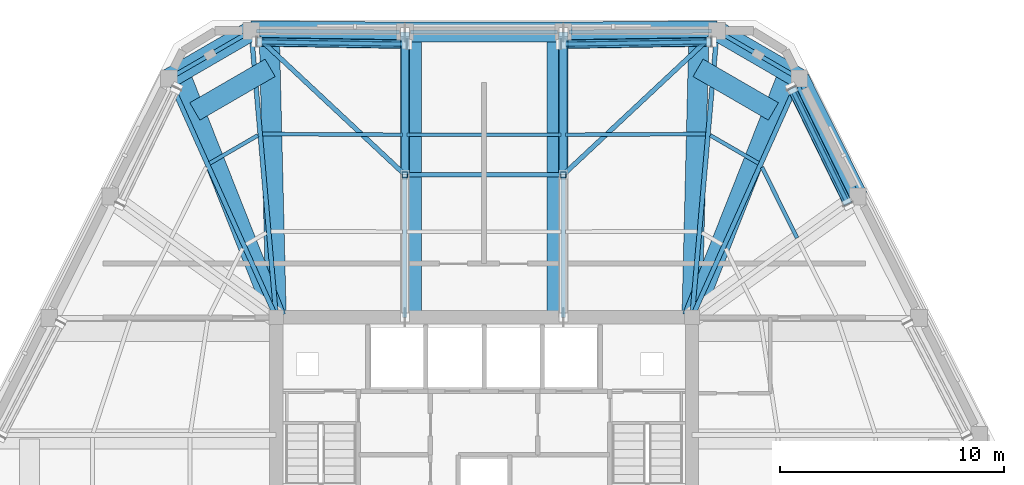
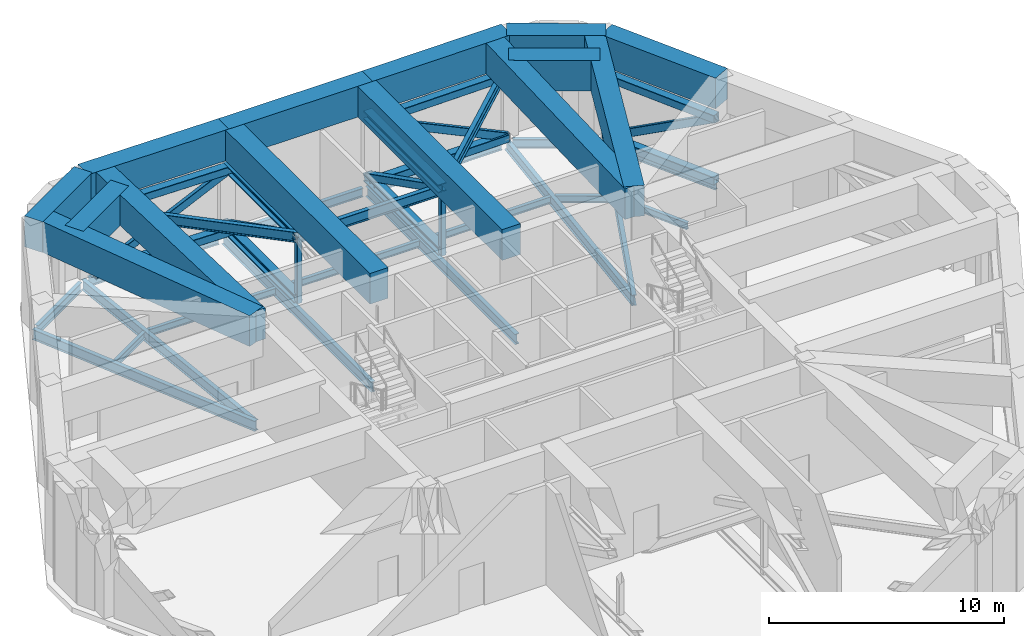
# One storey, part 5 of 15: 35 beams, 17 members.
"""IFC4 building model written with IfcOpenShell, lengths in metres."""

from ifc_helpers import new_model, si_unit, direction, frame, origin, origin_2d, place, context, subcontext, project, spatial, rectangle, hollow_rectangle, i_section, extrude, material, material_profile, profile_set, type_object, element, save


model = new_model("IFC4")

# Units and contexts
model_context = context("Model", 3, precision=1e-05, world=origin(), true_north=direction((0.0, 1.0)))
body_context = subcontext(model_context, "Body", "Model", "MODEL_VIEW")
ifc_project = project(units=[si_unit("LENGTHUNIT", "METRE"), si_unit("AREAUNIT", "SQUARE_METRE"), si_unit("VOLUMEUNIT", "CUBIC_METRE"), si_unit("PLANEANGLEUNIT", "RADIAN"), si_unit("MASSUNIT", "GRAM", prefix="KILO")], contexts=[model_context])

# Site, building, storey
site_placement = place(None, origin())
site = spatial("IfcSite", under=ifc_project, at=site_placement, CompositionType="ELEMENT")
building_placement = place(site_placement, origin())
building = spatial("IfcBuilding", under=site, at=building_placement, Name="Cinnabar Lancet Tower", CompositionType="ELEMENT")
storey_placement = place(building_placement, frame((0.0, 0.0, 221.60009765625)))
storey = spatial("IfcBuildingStorey", under=building, at=storey_placement, Name="L59", CompositionType="ELEMENT", Elevation=221.60009765625)

# Beams
ifc_material_1 = material(Name="Concrete C70/85", Category="concrete")
ifc_material_profile_1 = material_profile(ifc_material_1, rectangle(XDim=0.89990234375, YDim=1.60009765625, at=origin_2d()), Name="RC-BG 900x1600")
ifc_profile_set_1 = profile_set([ifc_material_profile_1], Name="Concrete C70/85")
beam_type_1 = type_object("IfcBeamType", Name="STR-BM-BG-1600", PredefinedType="BEAM", material=ifc_profile_set_1)
beam_1_placement = place(storey_placement, frame((49.118896484375, 38.59912109375, 4.599853515625), z_axis=(-0.444811402135, 0.895624260798, 0.0), x_axis=(-0.895624260798, -0.444811402135, 0.0)))
element("IfcBeam", 1, at=beam_1_placement, inside=storey, type_object=beam_type_1, Name="L60 Setback Outer Ring Girder 11", PredefinedType="BEAM", context=body_context, shape_type="SweptSolid", body=[
    extrude(rectangle(XDim=0.89990234375, YDim=1.60009765625, at=origin_2d()), origin(), (0.0, 0.0, 1.0), 5.898681640625),
])
beam_2_placement = place(storey_placement, frame((46.4951171875, 43.882080078125, 4.599853515625), z_axis=(-0.865241216859, 0.501355798459, 0.0), x_axis=(-0.501355798459, -0.865241216859, 0.0)))
element("IfcBeam", 2, at=beam_2_placement, inside=storey, type_object=beam_type_1, Name="L60 Setback Outer Ring Girder 12", PredefinedType="BEAM", context=body_context, shape_type="SweptSolid", body=[
    extrude(rectangle(XDim=0.89990234375, YDim=1.60009765625, at=origin_2d()), origin(), (0.0, 0.0, 1.0), 4.246337890625),
])
beam_3_placement = place(storey_placement, frame((42.821044921875, 46.010986328125, 4.599853515625), z_axis=(-0.999970335653, -0.00770245502, 0.0), x_axis=(0.00770245502, -0.999970335653, 0.0)))
element("IfcBeam", 3, at=beam_3_placement, inside=storey, type_object=beam_type_1, Name="L60 Setback Outer Ring Girder 13", PredefinedType="BEAM", context=body_context, shape_type="SweptSolid", body=[
    extrude(rectangle(XDim=0.89990234375, YDim=1.60009765625, at=origin_2d()), origin(), (0.0, 0.0, 1.0), 6.878173828125),
])
beam_4_placement = place(storey_placement, frame((35.943115234375, 45.9580078125, 4.599853515625), z_axis=(-1.0, 0.0, 0.0), x_axis=(0.0, -1.0, 0.0)))
element("IfcBeam", 4, at=beam_4_placement, inside=storey, type_object=beam_type_1, Name="L60 Setback Outer Ring Girder 14", PredefinedType="BEAM", context=body_context, shape_type="SweptSolid", body=[
    extrude(rectangle(XDim=0.89990234375, YDim=1.60009765625, at=origin_2d()), origin(), (0.0, 0.0, 1.0), 7.086181640625),
])
beam_5_placement = place(storey_placement, frame((28.85693359375, 45.9580078125, 4.599853515625), z_axis=(-0.999970335653, 0.00770245502, 0.0), x_axis=(-0.00770245502, -0.999970335653, 0.0)))
element("IfcBeam", 5, at=beam_5_placement, inside=storey, type_object=beam_type_1, Name="L60 Setback Outer Ring Girder 15", PredefinedType="BEAM", context=body_context, shape_type="SweptSolid", body=[
    extrude(rectangle(XDim=0.89990234375, YDim=1.60009765625, at=origin_2d()), origin(), (0.0, 0.0, 1.0), 6.878173828125),
])
beam_6_placement = place(storey_placement, frame((21.97900390625, 46.010986328125, 4.599853515625), z_axis=(-0.865241216859, -0.501355798459, 0.0), x_axis=(0.501355798459, -0.865241216859, 0.0)))
element("IfcBeam", 6, at=beam_6_placement, inside=storey, type_object=beam_type_1, Name="L60 Setback Outer Ring Girder 16", PredefinedType="BEAM", context=body_context, shape_type="SweptSolid", body=[
    extrude(rectangle(XDim=0.89990234375, YDim=1.60009765625, at=origin_2d()), origin(), (0.0, 0.0, 1.0), 4.246337890625),
])
beam_7_placement = place(storey_placement, frame((45.9619140625, 43.97900390625, 4.599853515625), z_axis=(-0.367694473329, -0.929946651311, 0.0), x_axis=(0.929946651311, -0.367694473329, 0.0)))
element("IfcBeam", 7, at=beam_7_placement, inside=storey, type_object=beam_type_1, Name="L60 Setback Continuous Radial Transfer Girder 12", PredefinedType="BEAM", context=body_context, shape_type="SweptSolid", body=[
    extrude(rectangle(XDim=0.89990234375, YDim=1.60009765625, at=origin_2d()), origin(), (0.0, 0.0, 1.0), 11.591064453125),
])
beam_8_placement = place(storey_placement, frame((42.011962890625, 46.00390625, 4.599853515625), z_axis=(-0.024361153953, -0.999703223051, 0.0), x_axis=(0.999703223051, -0.024361153953, 0.0)))
element("IfcBeam", 8, at=beam_8_placement, inside=storey, type_object=beam_type_1, Name="L60 Setback Continuous Radial Transfer Girder 13", PredefinedType="BEAM", context=body_context, shape_type="SweptSolid", body=[
    extrude(rectangle(XDim=0.89990234375, YDim=1.60009765625, at=origin_2d()), origin(), (0.0, 0.0, 1.0), 12.807861328125),
])
for number, where, z_axis, x_axis, name in (
    (9, (35.654052734375, 45.9580078125, 4.599853515625), (0.0, -1.0, 0.0), (1.0, 0.0, 0.0), "L60 Setback Continuous Radial Transfer Girder 14"),
    (10, (29.14599609375, 45.9580078125, 4.599853515625), (0.0, -1.0, 0.0), (1.0, 0.0, 0.0), "L60 Setback Continuous Radial Transfer Girder 15"),
):
    element("IfcBeam", number, at=place(storey_placement, frame(where, z_axis=z_axis, x_axis=x_axis)), inside=storey, type_object=beam_type_1, Name=name, PredefinedType="BEAM", context=body_context, shape_type="SweptSolid", body=[
        extrude(rectangle(XDim=0.89990234375, YDim=1.60009765625, at=origin_2d()), origin(), (0.0, 0.0, 1.0), 12.758056640625),
    ])
beam_9_placement = place(storey_placement, frame((22.7880859375, 46.00390625, 4.599853515625), z_axis=(0.024361153953, -0.999703223051, 0.0), x_axis=(0.999703223051, 0.024361153953, 0.0)))
element("IfcBeam", 11, at=beam_9_placement, inside=storey, type_object=beam_type_1, Name="L60 Setback Continuous Radial Transfer Girder 16", PredefinedType="BEAM", context=body_context, shape_type="SweptSolid", body=[
    extrude(rectangle(XDim=0.89990234375, YDim=1.60009765625, at=origin_2d()), origin(), (0.0, 0.0, 1.0), 12.807861328125),
])
beam_10_placement = place(storey_placement, frame((18.837890625, 43.97900390625, 4.599853515625), z_axis=(0.367712688301, -0.92993944903, 0.0), x_axis=(0.92993944903, 0.367712688301, 0.0)))
element("IfcBeam", 12, at=beam_10_placement, inside=storey, type_object=beam_type_1, Name="L60 Setback Continuous Radial Transfer Girder 17", PredefinedType="BEAM", context=body_context, shape_type="SweptSolid", body=[
    extrude(rectangle(XDim=0.89990234375, YDim=1.60009765625, at=origin_2d()), origin(), (0.0, 0.0, 1.0), 11.591064453125),
])
beam_11_placement = place(storey_placement, frame((45.341064453125, 42.408935546875, 4.599853515625), z_axis=(-0.865248800318, 0.501342710677, 0.0), x_axis=(-0.501342710677, -0.865248800318, 0.0)))
element("IfcBeam", 13, at=beam_11_placement, inside=storey, type_object=beam_type_1, Name="L60 Setback Pilaster Transfer Chord 4", PredefinedType="BEAM", context=body_context, shape_type="SweptSolid", body=[
    extrude(rectangle(XDim=0.89990234375, YDim=1.60009765625, at=origin_2d()), origin(), (0.0, 0.0, 1.0), 3.893798828125),
])
beam_12_placement = place(storey_placement, frame((22.827880859375, 44.361083984375, 4.599853515625), z_axis=(-0.865233039938, -0.501369909946, 0.0), x_axis=(0.501369909946, -0.865233039938, 0.0)))
element("IfcBeam", 14, at=beam_12_placement, inside=storey, type_object=beam_type_1, Name="L60 Setback Pilaster Transfer Chord 5", PredefinedType="BEAM", context=body_context, shape_type="SweptSolid", body=[
    extrude(rectangle(XDim=0.89990234375, YDim=1.60009765625, at=origin_2d()), origin(), (0.0, 0.0, 1.0), 3.8935546875),
])
ifc_material_2 = material(Name="Structural steel S355", Category="steel")
ifc_material_profile_2 = material_profile(ifc_material_2, i_section(OverallWidth=0.17138671875, OverallDepth=0.35498046875, WebThickness=0.00732421875, FlangeThickness=0.011474609375, FilletRadius=0.01025390625, at=origin_2d()), Name="UKB 356x171x51")
ifc_profile_set_2 = profile_set([ifc_material_profile_2], Name="Structural steel S355")
beam_type_2 = type_object("IfcBeamType", Name="STR-BM-JST-356", PredefinedType="JOIST", material=ifc_profile_set_2)
beam_13_placement = place(storey_placement, frame((46.40087890625, 36.75, -0.4580078125), z_axis=(-0.444780091128, 0.895639810714, 0.0), x_axis=(-0.895639810714, -0.444780091128, 0.0)))
element("IfcBeam", 15, at=beam_13_placement, inside=storey, type_object=beam_type_2, Name="L59 Secondary Floor Joist 29", PredefinedType="JOIST", context=body_context, shape_type="SweptSolid", body=[
    extrude(i_section(OverallWidth=0.17138671875, OverallDepth=0.35498046875, WebThickness=0.00732421875, FlangeThickness=0.011474609375, FilletRadius=0.01025390625, at=origin_2d()), origin(), (0.0, 0.0, 1.0), 3.533935546875),
])
beam_14_placement = place(storey_placement, frame((44.677978515625, 40.089111328125, -0.4580078125), z_axis=(-0.865267839663, 0.501309849937, 0.0), x_axis=(-0.501309849937, -0.865267839663, 0.0)))
element("IfcBeam", 16, at=beam_14_placement, inside=storey, type_object=beam_type_2, Name="L59 Secondary Floor Joist 31", PredefinedType="JOIST", context=body_context, shape_type="SweptSolid", body=[
    extrude(i_section(OverallWidth=0.17138671875, OverallDepth=0.35498046875, WebThickness=0.00732421875, FlangeThickness=0.011474609375, FilletRadius=0.01025390625, at=origin_2d()), origin(), (0.0, 0.0, 1.0), 2.497314453125),
])
beam_15_placement = place(storey_placement, frame((42.31201171875, 41.39794921875, -0.4580078125), z_axis=(-0.999986965561, -0.005105752523, 0.0), x_axis=(0.005105752523, -0.999986965561, 0.0)))
element("IfcBeam", 17, at=beam_15_placement, inside=storey, type_object=beam_type_2, Name="L59 Secondary Floor Joist 33", PredefinedType="JOIST", context=body_context, shape_type="SweptSolid", body=[
    extrude(i_section(OverallWidth=0.17138671875, OverallDepth=0.35498046875, WebThickness=0.00732421875, FlangeThickness=0.011474609375, FilletRadius=0.01025390625, at=origin_2d()), origin(), (0.0, 0.0, 1.0), 6.263916015625),
])
beam_16_placement = place(storey_placement, frame((35.837890625, 41.364990234375, -0.4580078125), z_axis=(-1.0, 0.0, 0.0), x_axis=(0.0, -1.0, 0.0)))
element("IfcBeam", 18, at=beam_16_placement, inside=storey, type_object=beam_type_2, Name="L59 Secondary Floor Joist 35", PredefinedType="JOIST", context=body_context, shape_type="SweptSolid", body=[
    extrude(i_section(OverallWidth=0.17138671875, OverallDepth=0.35498046875, WebThickness=0.00732421875, FlangeThickness=0.011474609375, FilletRadius=0.01025390625, at=origin_2d()), origin(), (0.0, 0.0, 1.0), 6.8759765625),
])
beam_17_placement = place(storey_placement, frame((28.751953125, 41.365966796875, -0.4580078125), z_axis=(-0.999986965561, 0.005105752523, 0.0), x_axis=(-0.005105752523, -0.999986965561, 0.0)))
element("IfcBeam", 19, at=beam_17_placement, inside=storey, type_object=beam_type_2, Name="L59 Secondary Floor Joist 37", PredefinedType="JOIST", context=body_context, shape_type="SweptSolid", body=[
    extrude(i_section(OverallWidth=0.17138671875, OverallDepth=0.35498046875, WebThickness=0.00732421875, FlangeThickness=0.011474609375, FilletRadius=0.01025390625, at=origin_2d()), origin(), (0.0, 0.0, 1.0), 6.263916015625),
])
beam_18_placement = place(storey_placement, frame((22.282958984375, 41.341064453125, -0.4580078125), z_axis=(-0.865267839663, -0.501309849937, 0.0), x_axis=(0.501309849937, -0.865267839663, 0.0)))
element("IfcBeam", 20, at=beam_18_placement, inside=storey, type_object=beam_type_2, Name="L59 Secondary Floor Joist 39", PredefinedType="JOIST", context=body_context, shape_type="SweptSolid", body=[
    extrude(i_section(OverallWidth=0.17138671875, OverallDepth=0.35498046875, WebThickness=0.00732421875, FlangeThickness=0.011474609375, FilletRadius=0.01025390625, at=origin_2d()), origin(), (0.0, 0.0, 1.0), 2.497314453125),
])
ifc_material_3 = material(Name="Structural steel S355", Category="steel")
ifc_material_profile_3 = material_profile(ifc_material_3, i_section(OverallWidth=0.1904296875, OverallDepth=0.45703125, WebThickness=0.009033203125, FlangeThickness=0.014404296875, FilletRadius=0.01025390625, at=origin_2d()), Name="UKB 457x191x74")
ifc_profile_set_3 = profile_set([ifc_material_profile_3], Name="Structural steel S355")
beam_type_3 = type_object("IfcBeamType", Name="STR-BM-SPN-457", PredefinedType="SPANDREL", material=ifc_profile_set_3)
beam_19_placement = place(storey_placement, frame((49.008056640625, 38.822998046875, -0.509033203125), z_axis=(-0.444932986899, 0.895563865489, 0.0), x_axis=(-0.895563865489, -0.444932986899, 0.0)))
element("IfcBeam", 21, at=beam_19_placement, inside=storey, type_object=beam_type_3, Name="L59 Perimeter Spandrel 11", PredefinedType="SPANDREL", context=body_context, shape_type="SweptSolid", body=[
    extrude(i_section(OverallWidth=0.1904296875, OverallDepth=0.45703125, WebThickness=0.009033203125, FlangeThickness=0.014404296875, FilletRadius=0.01025390625, at=origin_2d()), origin(), (0.0, 0.0, 1.0), 5.398681640625),
])
beam_20_placement = place(storey_placement, frame((46.279052734375, 44.007080078125, -0.509033203125), z_axis=(-0.865195717586, 0.501434313016, 0.0), x_axis=(-0.501434313016, -0.865195717586, 0.0)))
element("IfcBeam", 22, at=beam_20_placement, inside=storey, type_object=beam_type_3, Name="L59 Perimeter Spandrel 12", PredefinedType="SPANDREL", context=body_context, shape_type="SweptSolid", body=[
    extrude(i_section(OverallWidth=0.1904296875, OverallDepth=0.45703125, WebThickness=0.009033203125, FlangeThickness=0.014404296875, FilletRadius=0.01025390625, at=origin_2d()), origin(), (0.0, 0.0, 1.0), 3.7470703125),
])
beam_21_placement = place(storey_placement, frame((42.571044921875, 46.009033203125, -0.509033203125), z_axis=(-0.999970401924, -0.007693846685, 0.0), x_axis=(0.007693846685, -0.999970401924, 0.0)))
element("IfcBeam", 23, at=beam_21_placement, inside=storey, type_object=beam_type_3, Name="L59 Perimeter Spandrel 13", PredefinedType="SPANDREL", context=body_context, shape_type="SweptSolid", body=[
    extrude(i_section(OverallWidth=0.1904296875, OverallDepth=0.45703125, WebThickness=0.009033203125, FlangeThickness=0.014404296875, FilletRadius=0.01025390625, at=origin_2d()), origin(), (0.0, 0.0, 1.0), 6.378173828125),
])
beam_22_placement = place(storey_placement, frame((35.693115234375, 45.9580078125, -0.509033203125), z_axis=(-1.0, 0.0, 0.0), x_axis=(0.0, -1.0, 0.0)))
element("IfcBeam", 24, at=beam_22_placement, inside=storey, type_object=beam_type_3, Name="L59 Perimeter Spandrel 14", PredefinedType="SPANDREL", context=body_context, shape_type="SweptSolid", body=[
    extrude(i_section(OverallWidth=0.1904296875, OverallDepth=0.45703125, WebThickness=0.009033203125, FlangeThickness=0.014404296875, FilletRadius=0.01025390625, at=origin_2d()), origin(), (0.0, 0.0, 1.0), 6.586181640625),
])
beam_23_placement = place(storey_placement, frame((28.60693359375, 45.9599609375, -0.509033203125), z_axis=(-0.999970401924, 0.007693846685, 0.0), x_axis=(-0.007693846685, -0.999970401924, 0.0)))
element("IfcBeam", 25, at=beam_23_placement, inside=storey, type_object=beam_type_3, Name="L59 Perimeter Spandrel 15", PredefinedType="SPANDREL", context=body_context, shape_type="SweptSolid", body=[
    extrude(i_section(OverallWidth=0.1904296875, OverallDepth=0.45703125, WebThickness=0.009033203125, FlangeThickness=0.014404296875, FilletRadius=0.01025390625, at=origin_2d()), origin(), (0.0, 0.0, 1.0), 6.378173828125),
])
beam_24_placement = place(storey_placement, frame((21.762939453125, 45.885986328125, -0.509033203125), z_axis=(-0.865195717586, -0.501434313016, 0.0), x_axis=(0.501434313016, -0.865195717586, 0.0)))
element("IfcBeam", 26, at=beam_24_placement, inside=storey, type_object=beam_type_3, Name="L59 Perimeter Spandrel 16", PredefinedType="SPANDREL", context=body_context, shape_type="SweptSolid", body=[
    extrude(i_section(OverallWidth=0.1904296875, OverallDepth=0.45703125, WebThickness=0.009033203125, FlangeThickness=0.014404296875, FilletRadius=0.01025390625, at=origin_2d()), origin(), (0.0, 0.0, 1.0), 3.7470703125),
])
ifc_material_4 = material(Name="Structural steel S355", Category="steel")
ifc_material_profile_4 = material_profile(ifc_material_4, i_section(OverallWidth=0.209228515625, OverallDepth=0.533203125, WebThickness=0.010009765625, FlangeThickness=0.015625, FilletRadius=0.0126953125, at=origin_2d()), Name="UKB 533x210x92")
ifc_profile_set_4 = profile_set([ifc_material_profile_4], Name="Structural steel S355")
beam_type_4 = type_object("IfcBeamType", Name="STR-BM-UKB533-92", PredefinedType="BEAM", material=ifc_profile_set_4)
beam_25_placement = place(storey_placement, frame((46.4951171875, 43.882080078125, -0.547119140625), z_axis=(-0.409527011626, -0.912297992297, 0.0), x_axis=(0.912297992297, -0.409527011626, 0.0)))
element("IfcBeam", 27, at=beam_25_placement, inside=storey, type_object=beam_type_4, Name="L59 Primary Floor Girder 12", PredefinedType="BEAM", context=body_context, shape_type="SweptSolid", body=[
    extrude(i_section(OverallWidth=0.209228515625, OverallDepth=0.533203125, WebThickness=0.010009765625, FlangeThickness=0.015625, FilletRadius=0.0126953125, at=origin_2d()), origin(), (0.0, 0.0, 1.0), 11.708984375),
])
beam_26_placement = place(storey_placement, frame((42.821044921875, 46.010986328125, -0.547119140625), z_axis=(-0.087176841412, -0.996192851973, 0.0), x_axis=(0.996192851973, -0.087176841412, 0.0)))
element("IfcBeam", 28, at=beam_26_placement, inside=storey, type_object=beam_type_4, Name="L59 Primary Floor Girder 13", PredefinedType="BEAM", context=body_context, shape_type="SweptSolid", body=[
    extrude(i_section(OverallWidth=0.209228515625, OverallDepth=0.533203125, WebThickness=0.010009765625, FlangeThickness=0.015625, FilletRadius=0.0126953125, at=origin_2d()), origin(), (0.0, 0.0, 1.0), 12.860107421875),
])
for number, where, z_axis, x_axis, name in (
    (29, (35.943115234375, 45.9580078125, -0.547119140625), (0.0, -1.0, 0.0), (1.0, 0.0, 0.0), "L59 Primary Floor Girder 14"),
    (30, (28.85693359375, 45.9580078125, -0.547119140625), (0.0, -1.0, 0.0), (1.0, 0.0, 0.0), "L59 Primary Floor Girder 15"),
):
    element("IfcBeam", number, at=place(storey_placement, frame(where, z_axis=z_axis, x_axis=x_axis)), inside=storey, type_object=beam_type_4, Name=name, PredefinedType="BEAM", context=body_context, shape_type="SweptSolid", body=[
        extrude(i_section(OverallWidth=0.209228515625, OverallDepth=0.533203125, WebThickness=0.010009765625, FlangeThickness=0.015625, FilletRadius=0.0126953125, at=origin_2d()), origin(), (0.0, 0.0, 1.0), 12.758056640625),
    ])
beam_27_placement = place(storey_placement, frame((21.97900390625, 46.010986328125, -0.547119140625), z_axis=(0.087176841412, -0.996192851973, 0.0), x_axis=(0.996192851973, 0.087176841412, 0.0)))
element("IfcBeam", 31, at=beam_27_placement, inside=storey, type_object=beam_type_4, Name="L59 Primary Floor Girder 16", PredefinedType="BEAM", context=body_context, shape_type="SweptSolid", body=[
    extrude(i_section(OverallWidth=0.209228515625, OverallDepth=0.533203125, WebThickness=0.010009765625, FlangeThickness=0.015625, FilletRadius=0.0126953125, at=origin_2d()), origin(), (0.0, 0.0, 1.0), 12.860107421875),
])
beam_28_placement = place(storey_placement, frame((18.304931640625, 43.882080078125, -0.547119140625), z_axis=(0.409527011626, -0.912297992297, 0.0), x_axis=(0.912297992297, 0.409527011626, 0.0)))
element("IfcBeam", 32, at=beam_28_placement, inside=storey, type_object=beam_type_4, Name="L59 Primary Floor Girder 17", PredefinedType="BEAM", context=body_context, shape_type="SweptSolid", body=[
    extrude(i_section(OverallWidth=0.209228515625, OverallDepth=0.533203125, WebThickness=0.010009765625, FlangeThickness=0.015625, FilletRadius=0.0126953125, at=origin_2d()), origin(), (0.0, 0.0, 1.0), 11.708984375),
])
beam_29_placement = place(storey_placement, frame((42.821044921875, 46.010986328125, 3.40283203125), z_axis=(-0.730393652185, -0.68302643642, 0.0), x_axis=(0.68302643642, -0.730393652185, 0.0)))
element("IfcBeam", 33, at=beam_29_placement, inside=storey, type_object=beam_type_4, Name="L59 Outrigger N Tie Beam 1", PredefinedType="BEAM", context=body_context, shape_type="SweptSolid", body=[
    extrude(i_section(OverallWidth=0.209228515625, OverallDepth=0.533203125, WebThickness=0.010009765625, FlangeThickness=0.015625, FilletRadius=0.0126953125, at=origin_2d()), origin(), (0.0, 0.0, 1.0), 9.416748046875),
])
beam_30_placement = place(storey_placement, frame((35.943115234375, 39.5791015625, 3.40283203125), z_axis=(-1.0, 0.0, 0.0), x_axis=(0.0, -1.0, 0.0)))
element("IfcBeam", 34, at=beam_30_placement, inside=storey, type_object=beam_type_4, Name="L59 Outrigger N Tie Beam 2", PredefinedType="BEAM", context=body_context, shape_type="SweptSolid", body=[
    extrude(i_section(OverallWidth=0.209228515625, OverallDepth=0.533203125, WebThickness=0.010009765625, FlangeThickness=0.015625, FilletRadius=0.0126953125, at=origin_2d()), origin(), (0.0, 0.0, 1.0), 7.086181640625),
])
beam_31_placement = place(storey_placement, frame((28.85693359375, 39.5791015625, 3.40283203125), z_axis=(-0.730393652185, 0.68302643642, 0.0), x_axis=(-0.68302643642, -0.730393652185, 0.0)))
element("IfcBeam", 35, at=beam_31_placement, inside=storey, type_object=beam_type_4, Name="L59 Outrigger N Tie Beam 3", PredefinedType="BEAM", context=body_context, shape_type="SweptSolid", body=[
    extrude(i_section(OverallWidth=0.209228515625, OverallDepth=0.533203125, WebThickness=0.010009765625, FlangeThickness=0.015625, FilletRadius=0.0126953125, at=origin_2d()), origin(), (0.0, 0.0, 1.0), 9.416748046875),
])

# Members
ifc_material_5 = material(Name="Structural steel S460", Category="steel")
ifc_material_profile_5 = material_profile(ifc_material_5, hollow_rectangle(XDim=0.199951171875, YDim=0.39990234375, WallThickness=0.01611328125, InnerFilletRadius=0.008056640625, OuterFilletRadius=0.02392578125, at=origin_2d()), Name="RHS 400x200x16")
ifc_profile_set_5 = profile_set([ifc_material_profile_5], Name="Structural steel S460")
member_type_1 = type_object("IfcMemberType", Name="STR-MEM-BT-BRC400", PredefinedType="BRACE", material=ifc_profile_set_5)
member_1_placement = place(storey_placement, frame((48.681884765625, 38.264892578125, 3.449951171875), z_axis=(-0.382067959106, 0.784306978517, -0.488760307385), x_axis=(-0.899003548691, -0.437941342466, 0.0)))
element("IfcMember", 36, at=member_1_placement, inside=storey, type_object=member_type_1, Name="L59 Belt Truss Face 3 Diagonal", PredefinedType="BRACE", context=body_context, shape_type="SweptSolid", body=[
    extrude(hollow_rectangle(XDim=0.199951171875, YDim=0.39990234375, WallThickness=0.01611328125, InnerFilletRadius=0.008056640625, OuterFilletRadius=0.02392578125, at=origin_2d()), origin(), (0.0, 0.0, 1.0), 6.6083984375),
])
member_2_placement = place(storey_placement, frame((42.569091796875, 45.52197265625, 0.219970703125), z_axis=(-0.901232740601, -0.01420759206, 0.433102403129), x_axis=(0.015762661842, -0.999875761528, 0.0)))
element("IfcMember", 37, at=member_2_placement, inside=storey, type_object=member_type_1, Name="L59 Belt Truss Face 4 Diagonal", PredefinedType="BRACE", context=body_context, shape_type="SweptSolid", body=[
    extrude(hollow_rectangle(XDim=0.199951171875, YDim=0.39990234375, WallThickness=0.01611328125, InnerFilletRadius=0.008056640625, OuterFilletRadius=0.02392578125, at=origin_2d()), origin(), (0.0, 0.0, 1.0), 7.457763671875),
])
member_3_placement = place(storey_placement, frame((28.951904296875, 45.416015625, 3.449951171875), z_axis=(-0.901226593105, 0.014208011239, -0.433115181328), x_axis=(-0.015763234283, -0.999875752504, 0.0)))
element("IfcMember", 38, at=member_3_placement, inside=storey, type_object=member_type_1, Name="L59 Belt Truss Face 4 Diagonal", PredefinedType="BRACE", context=body_context, shape_type="SweptSolid", body=[
    extrude(hollow_rectangle(XDim=0.199951171875, YDim=0.39990234375, WallThickness=0.01611328125, InnerFilletRadius=0.008056640625, OuterFilletRadius=0.02392578125, at=origin_2d()), origin(), (0.0, 0.0, 1.0), 7.45751953125),
])
ifc_material_6 = material(Name="Structural steel S460", Category="steel")
ifc_material_profile_6 = material_profile(ifc_material_6, hollow_rectangle(XDim=0.39990234375, YDim=0.39990234375, WallThickness=0.02001953125, InnerFilletRadius=0.010009765625, OuterFilletRadius=0.030029296875, at=origin_2d()), Name="SHS 400x400x20")
ifc_profile_set_6 = profile_set([ifc_material_profile_6], Name="Structural steel S460")
member_type_2 = type_object("IfcMemberType", Name="STR-MEM-BT-CHD400", PredefinedType="CHORD", material=ifc_profile_set_6)
for number, where, z_axis, x_axis, name in (
    (39, (48.681884765625, 38.264892578125, 0.219970703125), (-0.437941342466, 0.899003548691, 0.0), (-0.899003548691, -0.437941342466, 0.0), "L59 Belt Truss Face 3 Chord BC"),
    (40, (48.681884765625, 38.264892578125, 3.449951171875), (-0.437941342466, 0.899003548691, 0.0), (-0.899003548691, -0.437941342466, 0.0), "L59 Belt Truss Face 3 Chord TC"),
):
    element("IfcMember", number, at=place(storey_placement, frame(where, z_axis=z_axis, x_axis=x_axis)), inside=storey, type_object=member_type_2, Name=name, PredefinedType="CHORD", context=body_context, shape_type="SweptSolid", body=[
        extrude(hollow_rectangle(XDim=0.39990234375, YDim=0.39990234375, WallThickness=0.02001953125, InnerFilletRadius=0.010009765625, OuterFilletRadius=0.030029296875, at=origin_2d()), origin(), (0.0, 0.0, 1.0), 5.765380859375),
    ])
for number, where, z_axis, x_axis, name in (
    (41, (42.569091796875, 45.52197265625, 0.219970703125), (-0.999875761528, -0.015762661842, 0.0), (0.015762661842, -0.999875761528, 0.0), "L59 Belt Truss Face 4 Chord BC"),
    (42, (42.569091796875, 45.52197265625, 3.449951171875), (-0.999875761528, -0.015762661842, 0.0), (0.015762661842, -0.999875761528, 0.0), "L59 Belt Truss Face 4 Chord TC"),
):
    element("IfcMember", number, at=place(storey_placement, frame(where, z_axis=z_axis, x_axis=x_axis)), inside=storey, type_object=member_type_2, Name=name, PredefinedType="CHORD", context=body_context, shape_type="SweptSolid", body=[
        extrude(hollow_rectangle(XDim=0.39990234375, YDim=0.39990234375, WallThickness=0.02001953125, InnerFilletRadius=0.010009765625, OuterFilletRadius=0.030029296875, at=origin_2d()), origin(), (0.0, 0.0, 1.0), 6.721923828125),
    ])
for number, where, z_axis, x_axis, name in (
    (43, (28.951904296875, 45.416015625, 0.219970703125), (-0.999875752504, 0.015763234283, 0.0), (-0.015763234283, -0.999875752504, 0.0), "L59 Belt Truss Face 4 Chord BC"),
    (44, (28.951904296875, 45.416015625, 3.449951171875), (-0.999875752504, 0.015763234283, 0.0), (-0.015763234283, -0.999875752504, 0.0), "L59 Belt Truss Face 4 Chord TC"),
):
    element("IfcMember", number, at=place(storey_placement, frame(where, z_axis=z_axis, x_axis=x_axis)), inside=storey, type_object=member_type_2, Name=name, PredefinedType="CHORD", context=body_context, shape_type="SweptSolid", body=[
        extrude(hollow_rectangle(XDim=0.39990234375, YDim=0.39990234375, WallThickness=0.02001953125, InnerFilletRadius=0.010009765625, OuterFilletRadius=0.030029296875, at=origin_2d()), origin(), (0.0, 0.0, 1.0), 6.7216796875),
    ])
ifc_material_7 = material(Name="Structural steel S460", Category="steel")
ifc_material_profile_7 = material_profile(ifc_material_7, hollow_rectangle(XDim=0.25, YDim=0.25, WallThickness=0.012451171875, InnerFilletRadius=0.00634765625, OuterFilletRadius=0.018798828125, at=origin_2d()), Name="SHS 250x250x12.5")
ifc_profile_set_7 = profile_set([ifc_material_profile_7], Name="Structural steel S460")
member_type_3 = type_object("IfcMemberType", Name="STR-MEM-BT-PST250", PredefinedType="STRUT", material=ifc_profile_set_7)
for number, where, z_axis, x_axis, name in (
    (45, (35.943115234375, 39.5791015625, 0.0), (0.0, 0.0, 1.0), (1.0, 0.0, 0.0), "L59 Outrigger Truss 3 Web Strut"),
    (46, (28.85693359375, 39.5791015625, 0.0), (0.0, 0.0, 1.0), (1.0, 0.0, 0.0), "L59 Outrigger Truss 4 Web Strut"),
):
    element("IfcMember", number, at=place(storey_placement, frame(where, z_axis=z_axis, x_axis=x_axis)), inside=storey, type_object=member_type_3, Name=name, PredefinedType="STRUT", context=body_context, shape_type="SweptSolid", body=[
        extrude(hollow_rectangle(XDim=0.25, YDim=0.25, WallThickness=0.012451171875, InnerFilletRadius=0.00634765625, OuterFilletRadius=0.018798828125, at=origin_2d()), origin(), (0.0, 0.0, 1.0), 3.449951171875),
    ])
ifc_material_8 = material(Name="Structural steel S460", Category="steel")
ifc_material_profile_8 = material_profile(ifc_material_8, hollow_rectangle(XDim=0.35009765625, YDim=0.35009765625, WallThickness=0.01611328125, InnerFilletRadius=0.008056640625, OuterFilletRadius=0.02392578125, at=origin_2d()), Name="SHS 350x350x16")
ifc_profile_set_8 = profile_set([ifc_material_profile_8], Name="Structural steel S460")
member_type_4 = type_object("IfcMemberType", Name="STR-MEM-OT-BRC350", PredefinedType="BRACE", material=ifc_profile_set_8)
for number, where, z_axis, x_axis, name in (
    (47, (35.943115234375, 39.5791015625, 3.449951171875), (0.0, 0.892148448564, -0.451742344401), (-1.0, 0.0, 0.0), "L59 Outrigger Truss 3 Diagonal 2"),
    (48, (28.85693359375, 39.5791015625, 3.449951171875), (0.0, 0.892148448564, -0.451742344401), (-1.0, 0.0, 0.0), "L59 Outrigger Truss 4 Diagonal 2"),
):
    element("IfcMember", number, at=place(storey_placement, frame(where, z_axis=z_axis, x_axis=x_axis)), inside=storey, type_object=member_type_4, Name=name, PredefinedType="BRACE", context=body_context, shape_type="SweptSolid", body=[
        extrude(hollow_rectangle(XDim=0.35009765625, YDim=0.35009765625, WallThickness=0.01611328125, InnerFilletRadius=0.008056640625, OuterFilletRadius=0.02392578125, at=origin_2d()), origin(), (0.0, 0.0, 1.0), 7.150146484375),
    ])
ifc_material_9 = material(Name="Structural steel S460", Category="steel")
ifc_material_profile_9 = material_profile(ifc_material_9, i_section(OverallWidth=0.412109375, OverallDepth=0.43505859375, WebThickness=0.035888671875, FlangeThickness=0.05810546875, FilletRadius=0.014892578125, at=origin_2d()), Name="HD 400x463")
ifc_profile_set_9 = profile_set([ifc_material_profile_9], Name="Structural steel S460")
member_type_5 = type_object("IfcMemberType", Name="STR-MEM-OT-CHD463", PredefinedType="CHORD", material=ifc_profile_set_9)
for number, where, z_axis, x_axis, name in (
    (49, (35.943115234375, 39.5791015625, 0.219970703125), (0.0, 1.0, 0.0), (-1.0, 0.0, 0.0), "L59 Outrigger Truss 3 Chord BC2"),
    (50, (35.943115234375, 39.5791015625, 3.449951171875), (0.0, 1.0, 0.0), (-1.0, 0.0, 0.0), "L59 Outrigger Truss 3 Chord TC2"),
    (51, (28.85693359375, 39.5791015625, 0.219970703125), (0.0, 1.0, 0.0), (-1.0, 0.0, 0.0), "L59 Outrigger Truss 4 Chord BC2"),
    (52, (28.85693359375, 39.5791015625, 3.449951171875), (0.0, 1.0, 0.0), (-1.0, 0.0, 0.0), "L59 Outrigger Truss 4 Chord TC2"),
):
    element("IfcMember", number, at=place(storey_placement, frame(where, z_axis=z_axis, x_axis=x_axis)), inside=storey, type_object=member_type_5, Name=name, PredefinedType="CHORD", context=body_context, shape_type="SweptSolid", body=[
        extrude(i_section(OverallWidth=0.412109375, OverallDepth=0.43505859375, WebThickness=0.035888671875, FlangeThickness=0.05810546875, FilletRadius=0.014892578125, at=origin_2d()), origin(), (0.0, 0.0, 1.0), 6.37890625),
    ])

save(model, "model.ifc")
